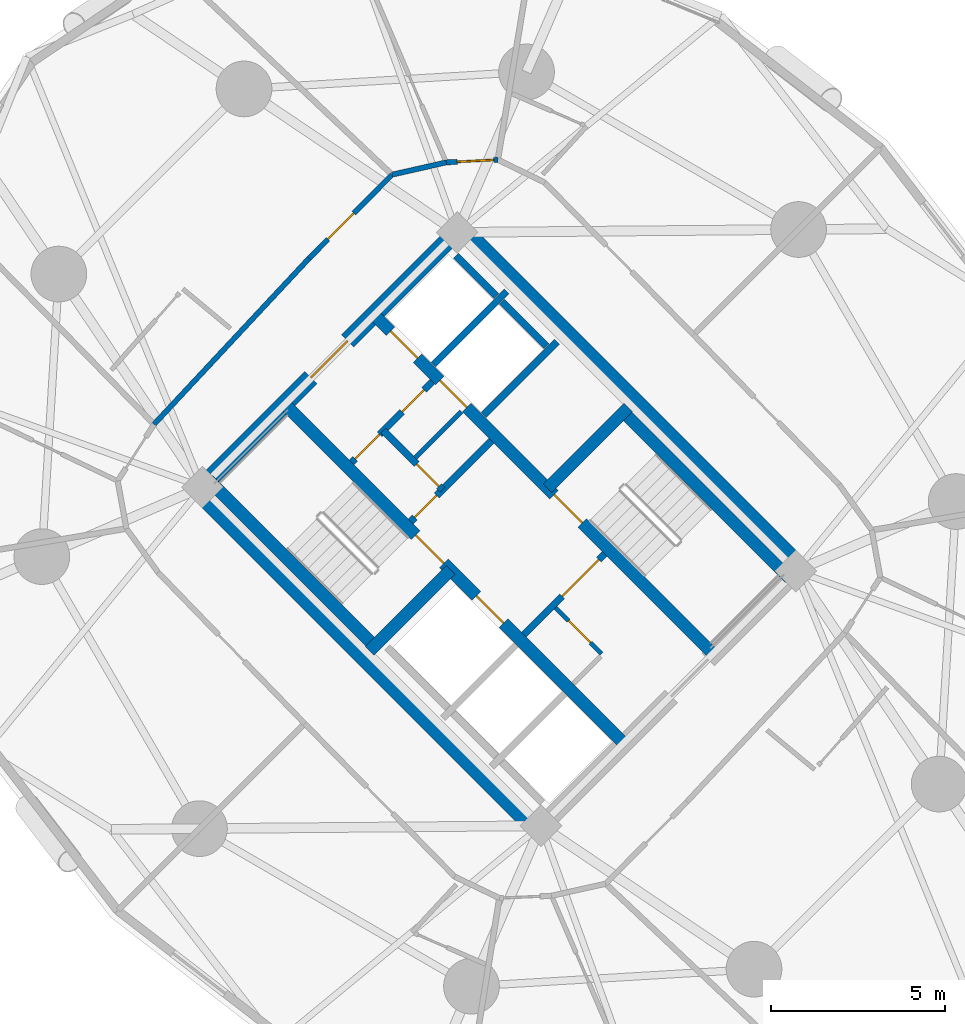
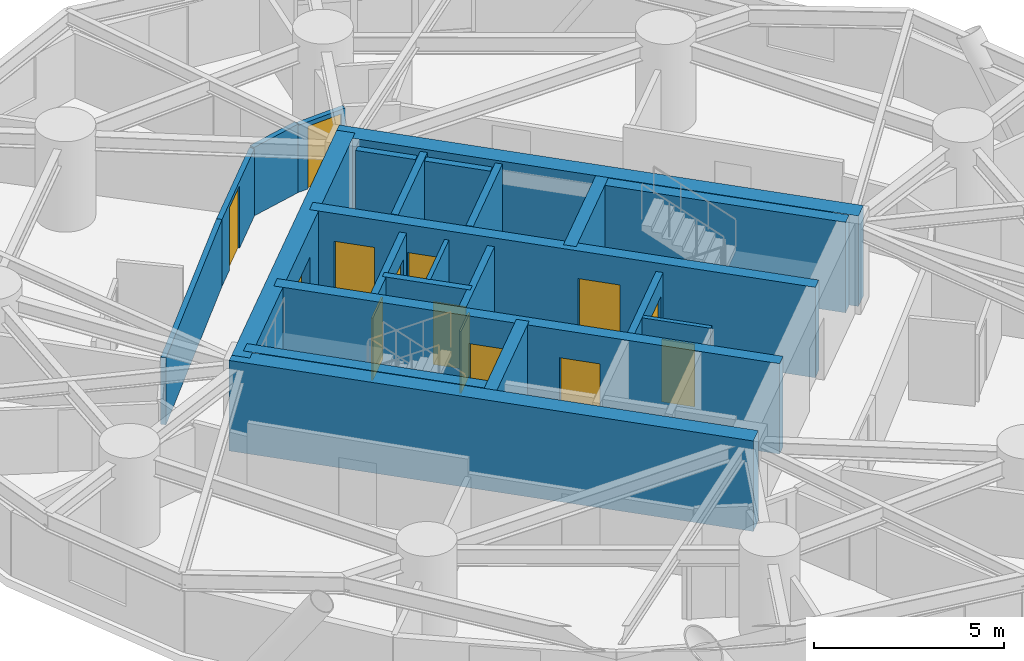
# One storey, part 13 of 19: 23 walls, 14 doors, 14 openings.
"""IFC4 building model written with IfcOpenShell, lengths in metres."""

from ifc_helpers import new_model, si_unit, direction, frame, frame_2d, origin, place, context, subcontext, project, spatial, rectangle, extrude, source, transform, mapped, material, layer, layer_set, type_object, element, fill, save


model = new_model("IFC4")

# Units and contexts
model_context = context("Model", 3, precision=1e-05, world=origin(), true_north=direction((0.0, 1.0)))
body_context = subcontext(model_context, "Body", "Model", "MODEL_VIEW")
ifc_project = project(units=[si_unit("LENGTHUNIT", "METRE"), si_unit("AREAUNIT", "SQUARE_METRE"), si_unit("VOLUMEUNIT", "CUBIC_METRE"), si_unit("PLANEANGLEUNIT", "RADIAN"), si_unit("MASSUNIT", "GRAM", prefix="KILO")], contexts=[model_context])

# Site, building, storey
site_placement = place(None, origin())
site = spatial("IfcSite", under=ifc_project, at=site_placement, CompositionType="ELEMENT")
building_placement = place(site_placement, origin())
building = spatial("IfcBuilding", under=site, at=building_placement, Name="Cununo Teusaquillo Station Towers", CompositionType="ELEMENT")
storey_placement = place(building_placement, frame((0.0, 0.0, 33.639892578125)))
storey = spatial("IfcBuildingStorey", under=building, at=storey_placement, Name="L09", CompositionType="ELEMENT", Elevation=33.639892578125)

# Walls
ifc_material_1 = material(Name="Concrete C50/60", Category="concrete")
ifc_layer_1 = layer(ifc_material_1, 0.199951171875)
ifc_layer_set_1 = layer_set([ifc_layer_1], Name="Concrete C50/60")
wall_type_1 = type_object("IfcWallType", Name="WL-CORE-200", PredefinedType="SHEAR", material=ifc_layer_set_1)
wall_1_placement = place(storey_placement, frame((57.0615234375, 27.781005859375, 0.0), z_axis=(0.0, 0.0, 1.0), x_axis=(0.707106781187, 0.707106781187, 0.0)))
element("IfcWall", 1, at=wall_1_placement, inside=storey, type_object=wall_type_1, Name="L09 Tower B Low-Rise Lift Hoistway South Shear Wall", PredefinedType="SHEAR", context=body_context, shape_type="SweptSolid", body=[
    extrude(rectangle(XDim=2.969970703125, YDim=0.199951171875, at=frame_2d((1.48486328125, 0.0))), origin(), (0.0, 0.0, 1.0), 2.91015625),
])
wall_2_placement = place(storey_placement, frame((55.615478515625, 29.22705078125, 0.0), z_axis=(0.0, 0.0, 1.0), x_axis=(0.707147878904, 0.70706568108, 0.0)))
element("IfcWall", 2, at=wall_2_placement, inside=storey, type_object=wall_type_1, Name="L09 Tower B Low-Rise Lift Hoistway Divider Shear Wall", PredefinedType="SHEAR", context=body_context, shape_type="SweptSolid", body=[
    extrude(rectangle(XDim=2.97021484375, YDim=0.199951171875, at=frame_2d((1.485107421875, 0.0))), origin(), (0.0, 0.0, 1.0), 2.91015625),
])
wall_3_placement = place(storey_placement, frame((58.86474609375, 29.75390625, 0.0), z_axis=(0.0, 0.0, 1.0), x_axis=(-0.707174411312, 0.707039144592, 0.0)))
element("IfcWall", 3, at=wall_3_placement, inside=storey, type_object=wall_type_1, Name="L09 Tower B Low-Rise Lift 1 Shaft Rear Shear Wall", PredefinedType="SHEAR", context=body_context, shape_type="SweptSolid", body=[
    extrude(rectangle(XDim=1.804931640625, YDim=0.199951171875, at=frame_2d((0.90234375, 0.0))), origin(), (0.0, 0.0, 1.0), 2.91015625),
])
wall_4_placement = place(storey_placement, frame((57.418701171875, 31.19970703125, 0.0), z_axis=(0.0, 0.0, 1.0), x_axis=(-0.707032117043, 0.707181437447, 0.0)))
element("IfcWall", 4, at=wall_4_placement, inside=storey, type_object=wall_type_1, Name="L09 Tower B Low-Rise Lift 2 Shaft Rear Shear Wall", PredefinedType="SHEAR", context=body_context, shape_type="SweptSolid", body=[
    extrude(rectangle(XDim=1.635009765625, YDim=0.199951171875, at=frame_2d((0.8173828125, 0.0))), origin(), (0.0, 0.0, 1.0), 2.91015625),
])

# Wall, openings, doors
ifc_material_2 = material(Name="Concrete C50/60", Category="concrete")
ifc_layer_2 = layer(ifc_material_2, 0.35009765625)
ifc_layer_set_2 = layer_set([ifc_layer_2], Name="Concrete C50/60")
wall_type_2 = type_object("IfcWallType", Name="WL-CORE-350", PredefinedType="SHEAR", material=ifc_layer_set_2)
wall_5_placement = place(storey_placement, frame((61.095703125, 18.337646484375, 0.0), z_axis=(0.0, 0.0, 1.0), x_axis=(-0.707106781187, 0.707106781187, 0.0)))
wall_5 = element("IfcWall", 5, at=wall_5_placement, inside=storey, type_object=wall_type_2, Name="L09 Tower B Core Shear Wall IW", PredefinedType="SHEAR", context=body_context, shape_type="SweptSolid", body=[
    extrude(rectangle(XDim=13.800048828125, YDim=0.35009765625, at=frame_2d((6.89990234375, 0.0))), origin(), (0.0, 0.0, 1.0), 2.91015625),
])
shared_shape_1 = source(origin(), body_context, "Body", "SweptSolid", [
    extrude(rectangle(XDim=1.10009765625, YDim=2.014892578125, at=frame_2d((0.550048828125, 1.00732421875))), frame((0.0, 0.18505859375, 0.0), z_axis=(0.0, -1.0, 0.0), x_axis=(1.0, 0.0, 0.0)), (0.0, 0.0, 1.0), 0.3701171875),
])
opening_1_placement = place(wall_5_placement, frame((4.89990234375, 0.0, 0.0)))
opening_1 = element("IfcOpeningElement", 6, at=opening_1_placement, cuts=wall_5, Name="Opening LD-01", PredefinedType="OPENING", context=body_context, shape_type="MappedRepresentation", body=[
    mapped(shared_shape_1, transform((0.0, 0.0, 0.0), x_axis=(1.0, 0.0, 0.0), y_axis=(0.0, 1.0, 0.0), z_axis=(0.0, 0.0, 1.0), scale=1.0)),
])
shared_shape_2 = source(origin(), body_context, "Body", "SweptSolid", [
    extrude(rectangle(XDim=1.14990234375, YDim=2.02001953125, at=frame_2d((0.574951171875, 1.010009765625))), frame((0.0, 0.18505859375, 0.0), z_axis=(0.0, -1.0, 0.0), x_axis=(1.0, 0.0, 0.0)), (0.0, 0.0, 1.0), 0.3701171875),
])
opening_2_placement = place(wall_5_placement, frame((7.320068359375, 0.0, 0.0)))
opening_2 = element("IfcOpeningElement", 7, at=opening_2_placement, cuts=wall_5, Name="Opening D-ST1", PredefinedType="OPENING", context=body_context, shape_type="MappedRepresentation", body=[
    mapped(shared_shape_2, transform((0.0, 0.0, 0.0), x_axis=(1.0, 0.0, 0.0), y_axis=(0.0, 1.0, 0.0), z_axis=(0.0, 0.0, 1.0), scale=1.0)),
])
ifc_material_3 = material(Name="Galvanised fire-rated hollow steel door assembly", Category="steel")
door_type_1 = type_object("IfcDoorType", Name="DR-LIFT-1100", OperationType="SLIDING_TO_LEFT", PredefinedType="DOOR", material=ifc_material_3)
shared_shape_3 = source(origin(), body_context, "Body", "SweptSolid", [
    extrude(rectangle(XDim=1.10009765625, YDim=2.014892578125, at=frame_2d((0.550048828125, 1.00732421875))), frame((0.0, 0.02490234375, 0.0), z_axis=(0.0, -1.0, 0.0), x_axis=(1.0, 0.0, 0.0)), (0.0, 0.0, 1.0), 0.050048828125),
])
door_1_placement = place(opening_1_placement, origin())
door_1 = element("IfcDoor", 8, at=door_1_placement, inside=storey, type_object=door_type_1, Name="L09 Lift FL-T2 Sliding Landing Door", OperationType="SLIDING_TO_LEFT", OverallHeight=2.014892578125, OverallWidth=1.10009765625, PredefinedType="DOOR", context=body_context, shape_type="MappedRepresentation", body=[
    mapped(shared_shape_3, transform((0.0, 0.0, 0.0), x_axis=(1.0, 0.0, 0.0), y_axis=(0.0, 1.0, 0.0), z_axis=(0.0, 0.0, 1.0), scale=1.0)),
])
fill(opening_1, door_1)
ifc_material_4 = material(Name="Galvanised fire-rated hollow steel door assembly", Category="steel")
door_type_2 = type_object("IfcDoorType", Name="DR-STAIR-1150", OperationType="NOTDEFINED", PredefinedType="DOOR", material=ifc_material_4)
shared_shape_4 = source(origin(), body_context, "Body", "SweptSolid", [
    extrude(rectangle(XDim=1.14990234375, YDim=2.02001953125, at=frame_2d((0.574951171875, 1.010009765625))), frame((0.0, 0.02490234375, 0.0), z_axis=(0.0, -1.0, 0.0), x_axis=(1.0, 0.0, 0.0)), (0.0, 0.0, 1.0), 0.050048828125),
])
door_2_placement = place(opening_2_placement, origin())
door_2 = element("IfcDoor", 9, at=door_2_placement, inside=storey, type_object=door_type_2, Name="L09 Tower B Exit Stair 1 Fire Door", OperationType="SINGLE_SWING_LEFT", OverallHeight=2.02001953125, OverallWidth=1.14990234375, PredefinedType="DOOR", context=body_context, shape_type="MappedRepresentation", body=[
    mapped(shared_shape_4, transform((0.0, 0.0, 0.0), x_axis=(1.0, 0.0, 0.0), y_axis=(0.0, 1.0, 0.0), z_axis=(0.0, 0.0, 1.0), scale=1.0)),
])
fill(opening_2, door_2)

wall_6_placement = place(storey_placement, frame((63.662353515625, 20.904296875, 0.0), z_axis=(0.0, 0.0, 1.0), x_axis=(-0.707106781187, 0.707106781187, 0.0)))
wall_6 = element("IfcWall", 10, at=wall_6_placement, inside=storey, type_object=wall_type_2, Name="L09 Tower B Core Shear Wall IE", PredefinedType="SHEAR", context=body_context, shape_type="SweptSolid", body=[
    extrude(rectangle(XDim=13.800048828125, YDim=0.35009765625, at=frame_2d((6.89990234375, 0.0))), origin(), (0.0, 0.0, 1.0), 2.91015625),
])
opening_3_placement = place(wall_6_placement, frame((10.02490234375, 0.0, 0.0)))
opening_3 = element("IfcOpeningElement", 11, at=opening_3_placement, cuts=wall_6, Name="Opening LD-01", PredefinedType="OPENING", context=body_context, shape_type="MappedRepresentation", body=[
    mapped(shared_shape_1, transform((0.0, 0.0, 0.0), x_axis=(1.0, 0.0, 0.0), y_axis=(0.0, 1.0, 0.0), z_axis=(0.0, 0.0, 1.0), scale=1.0)),
])
opening_4_placement = place(wall_6_placement, frame((12.02490234375, 0.0, 0.0)))
opening_4 = element("IfcOpeningElement", 12, at=opening_4_placement, cuts=wall_6, Name="Opening LD-01", PredefinedType="OPENING", context=body_context, shape_type="MappedRepresentation", body=[
    mapped(shared_shape_1, transform((0.0, 0.0, 0.0), x_axis=(1.0, 0.0, 0.0), y_axis=(0.0, 1.0, 0.0), z_axis=(0.0, 0.0, 1.0), scale=1.0)),
])
opening_5_placement = place(wall_6_placement, frame((5.330078125, 0.0, 0.0)))
opening_5 = element("IfcOpeningElement", 13, at=opening_5_placement, cuts=wall_6, Name="Opening D-ST1", PredefinedType="OPENING", context=body_context, shape_type="MappedRepresentation", body=[
    mapped(shared_shape_2, transform((0.0, 0.0, 0.0), x_axis=(1.0, 0.0, 0.0), y_axis=(0.0, 1.0, 0.0), z_axis=(0.0, 0.0, 1.0), scale=1.0)),
])
door_3_placement = place(opening_3_placement, origin())
door_3 = element("IfcDoor", 14, at=door_3_placement, inside=storey, type_object=door_type_1, Name="L09 Lift PL-T2-L1 Sliding Landing Door", OperationType="SLIDING_TO_RIGHT", OverallHeight=2.014892578125, OverallWidth=1.10009765625, PredefinedType="DOOR", context=body_context, shape_type="MappedRepresentation", body=[
    mapped(shared_shape_3, transform((0.0, 0.0, 0.0), x_axis=(1.0, 0.0, 0.0), y_axis=(0.0, 1.0, 0.0), z_axis=(0.0, 0.0, 1.0), scale=1.0)),
])
fill(opening_3, door_3)
door_4_placement = place(opening_4_placement, origin())
door_4 = element("IfcDoor", 15, at=door_4_placement, inside=storey, type_object=door_type_1, Name="L09 Lift PL-T2-L2 Sliding Landing Door", OperationType="SLIDING_TO_LEFT", OverallHeight=2.014892578125, OverallWidth=1.10009765625, PredefinedType="DOOR", context=body_context, shape_type="MappedRepresentation", body=[
    mapped(shared_shape_3, transform((0.0, 0.0, 0.0), x_axis=(1.0, 0.0, 0.0), y_axis=(0.0, 1.0, 0.0), z_axis=(0.0, 0.0, 1.0), scale=1.0)),
])
fill(opening_4, door_4)
door_5_placement = place(opening_5_placement, origin())
door_5 = element("IfcDoor", 16, at=door_5_placement, inside=storey, type_object=door_type_2, Name="L09 Tower B Exit Stair 2 Fire Door", OperationType="SINGLE_SWING_RIGHT", OverallHeight=2.02001953125, OverallWidth=1.14990234375, PredefinedType="DOOR", context=body_context, shape_type="MappedRepresentation", body=[
    mapped(shared_shape_4, transform((0.0, 0.0, 0.0), x_axis=(1.0, 0.0, 0.0), y_axis=(0.0, 1.0, 0.0), z_axis=(0.0, 0.0, 1.0), scale=1.0)),
])
fill(opening_5, door_5)

# Walls
wall_7_placement = place(storey_placement, frame((53.922119140625, 21.14111328125, 0.0), z_axis=(0.0, 0.0, 1.0), x_axis=(-0.707106781187, 0.707106781187, 0.0)))
element("IfcWall", 17, at=wall_7_placement, inside=storey, type_object=wall_type_2, Name="L09 Tower B Core Shear Wall ST1W", PredefinedType="SHEAR", context=body_context, shape_type="SweptSolid", body=[
    extrude(rectangle(XDim=6.7451171875, YDim=0.35009765625, at=frame_2d((3.37255859375, 0.0))), origin(), (0.0, 0.0, 1.0), 2.91015625),
])
wall_8_placement = place(storey_placement, frame((53.7841796875, 21.00341796875, 0.0), z_axis=(0.0, 0.0, 1.0), x_axis=(0.707106781187, 0.707106781187, 0.0)))
element("IfcWall", 18, at=wall_8_placement, inside=storey, type_object=wall_type_2, Name="L09 Tower B Core Shear Wall ST1S", PredefinedType="SHEAR", context=body_context, shape_type="SweptSolid", body=[
    extrude(rectangle(XDim=3.284912109375, YDim=0.35009765625, at=frame_2d((1.642578125, 0.0))), origin(), (0.0, 0.0, 1.0), 2.91015625),
])
wall_9_placement = place(storey_placement, frame((65.847412109375, 23.08935546875, 0.0), z_axis=(0.0, 0.0, 1.0), x_axis=(-0.707106781187, 0.707106781187, 0.0)))
element("IfcWall", 19, at=wall_9_placement, inside=storey, type_object=wall_type_2, Name="L09 Tower B Core Shear Wall ST2E", PredefinedType="SHEAR", context=body_context, shape_type="SweptSolid", body=[
    extrude(rectangle(XDim=6.7451171875, YDim=0.35009765625, at=frame_2d((3.37255859375, 0.0))), origin(), (0.0, 0.0, 1.0), 2.91015625),
])
wall_10_placement = place(storey_placement, frame((58.89306640625, 25.673828125, 0.0), z_axis=(0.0, 0.0, 1.0), x_axis=(0.707106781187, 0.707106781187, 0.0)))
element("IfcWall", 20, at=wall_10_placement, inside=storey, type_object=wall_type_2, Name="L09 Tower B Core Shear Wall ST2N", PredefinedType="SHEAR", context=body_context, shape_type="SweptSolid", body=[
    extrude(rectangle(XDim=3.284912109375, YDim=0.35009765625, at=frame_2d((1.642578125, 0.0))), origin(), (0.0, 0.0, 1.0), 2.91015625),
])
ifc_material_5 = material(Name="Concrete C60/75", Category="concrete")
ifc_layer_3 = layer(ifc_material_5, 0.5)
ifc_layer_set_3 = layer_set([ifc_layer_3], Name="Concrete C60/75")
wall_type_3 = type_object("IfcWallType", Name="WL-CORE-500", PredefinedType="SHEAR", material=ifc_layer_set_3)
for number, where, z_axis, x_axis, name in (
    (21, (58.772705078125, 15.6611328125, 0.0), (0.0, 0.0, 1.0), (-0.707106781187, 0.707106781187, 0.0), "L09 Tower B Core Shear Wall W"),
    (22, (66.3388671875, 23.227294921875, 0.0), (0.0, 0.0, 1.0), (-0.707106781187, 0.707106781187, 0.0), "L09 Tower B Core Shear Wall E"),
):
    element("IfcWall", number, at=place(storey_placement, frame(where, z_axis=z_axis, x_axis=x_axis)), inside=storey, type_object=wall_type_3, Name=name, PredefinedType="SHEAR", context=body_context, shape_type="SweptSolid", body=[
        extrude(rectangle(XDim=14.2998046875, YDim=0.5, at=frame_2d((7.14990234375, 0.0))), origin(), (0.0, 0.0, 1.0), 2.91015625),
    ])

# Wall, opening, door
wall_11_placement = place(storey_placement, frame((48.837890625, 25.595947265625, 0.0), z_axis=(0.0, 0.0, 1.0), x_axis=(0.707106781187, 0.707106781187, 0.0)))
wall_11 = element("IfcWall", 23, at=wall_11_placement, inside=storey, type_object=wall_type_3, Name="L09 Tower B Core Shear Wall N", PredefinedType="SHEAR", context=body_context, shape_type="SweptSolid", body=[
    extrude(rectangle(XDim=10.7001953125, YDim=0.5, at=frame_2d((5.35009765625, 0.0))), origin(), (0.0, 0.0, 1.0), 2.91015625),
])
shared_shape_5 = source(origin(), body_context, "Body", "SweptSolid", [
    extrude(rectangle(XDim=1.5, YDim=2.02001953125, at=frame_2d((0.75, 1.010009765625))), frame((0.0, 0.260009765625, 0.0), z_axis=(0.0, -1.0, 0.0), x_axis=(1.0, 0.0, 0.0)), (0.0, 0.0, 1.0), 0.52001953125),
])
opening_6_placement = place(wall_11_placement, frame((4.60009765625, 0.0, 0.0)))
opening_6 = element("IfcOpeningElement", 24, at=opening_6_placement, cuts=wall_11, Name="Opening D-LB1", PredefinedType="OPENING", context=body_context, shape_type="MappedRepresentation", body=[
    mapped(shared_shape_5, transform((0.0, 0.0, 0.0), x_axis=(1.0, 0.0, 0.0), y_axis=(0.0, 1.0, 0.0), z_axis=(0.0, 0.0, 1.0), scale=1.0)),
])
ifc_material_6 = material(Name="Galvanised fire-rated hollow steel door assembly", Category="steel")
door_type_3 = type_object("IfcDoorType", Name="DR-LOBBY-1500", OperationType="DOUBLE_DOOR_SINGLE_SWING", PredefinedType="DOOR", material=ifc_material_6)
shared_shape_6 = source(origin(), body_context, "Body", "SweptSolid", [
    extrude(rectangle(XDim=1.5, YDim=2.02001953125, at=frame_2d((0.75, 1.010009765625))), frame((0.0, 0.02490234375, 0.0), z_axis=(0.0, -1.0, 0.0), x_axis=(1.0, 0.0, 0.0)), (0.0, 0.0, 1.0), 0.050048828125),
])
door_6_placement = place(opening_6_placement, origin())
door_6 = element("IfcDoor", 25, at=door_6_placement, inside=storey, type_object=door_type_3, Name="L09 Tower B North Core Lift Lobby Door", OperationType="DOUBLE_DOOR_SINGLE_SWING", OverallHeight=2.02001953125, OverallWidth=1.5, PredefinedType="DOOR", context=body_context, shape_type="MappedRepresentation", body=[
    mapped(shared_shape_6, transform((0.0, 0.0, 0.0), x_axis=(1.0, 0.0, 0.0), y_axis=(0.0, 1.0, 0.0), z_axis=(0.0, 0.0, 1.0), scale=1.0)),
])
fill(opening_6, door_6)

ifc_material_7 = material(Name="Fire-rated gypsum plasterboard partition assembly", Category="gypsum")
ifc_layer_4 = layer(ifc_material_7, 0.125)
ifc_layer_set_4 = layer_set([ifc_layer_4], Name="Fire-rated gypsum plasterboard partition assembly")
wall_type_4 = type_object("IfcWallType", Name="WL-PART-125", PredefinedType="PARTITIONING", material=ifc_layer_set_4)
wall_12_placement = place(storey_placement, frame((60.448486328125, 20.9150390625, 0.0), z_axis=(0.0, 0.0, 1.0), x_axis=(-0.707106781187, 0.707106781187, 0.0)))
wall_12 = element("IfcWall", 26, at=wall_12_placement, inside=storey, type_object=wall_type_4, Name="L09 Tower B North-West Lobby Store East Wall", PredefinedType="PARTITIONING", context=body_context, shape_type="SweptSolid", body=[
    extrude(rectangle(XDim=1.869873046875, YDim=0.125, at=frame_2d((0.93505859375, 0.0))), origin(), (0.0, 0.0, 1.0), 2.635009765625),
])
shared_shape_7 = source(origin(), body_context, "Body", "SweptSolid", [
    extrude(rectangle(XDim=0.89990234375, YDim=2.0048828125, at=frame_2d((0.449951171875, 1.00244140625))), frame((0.0, 0.072509765625, 0.0), z_axis=(0.0, -1.0, 0.0), x_axis=(1.0, 0.0, 0.0)), (0.0, 0.0, 1.0), 0.14501953125),
])
opening_7_placement = place(wall_12_placement, frame((0.449951171875, 0.0, 0.0)))
opening_7 = element("IfcOpeningElement", 27, at=opening_7_placement, cuts=wall_12, Name="Opening D-SR1", PredefinedType="OPENING", context=body_context, shape_type="MappedRepresentation", body=[
    mapped(shared_shape_7, transform((0.0, 0.0, 0.0), x_axis=(1.0, 0.0, 0.0), y_axis=(0.0, 1.0, 0.0), z_axis=(0.0, 0.0, 1.0), scale=1.0)),
])
ifc_material_8 = material(Name="Galvanised fire-rated hollow steel door assembly", Category="steel")
door_type_4 = type_object("IfcDoorType", Name="DR-STORE-900", OperationType="NOTDEFINED", PredefinedType="DOOR", material=ifc_material_8)
shared_shape_8 = source(origin(), body_context, "Body", "SweptSolid", [
    extrude(rectangle(XDim=0.89990234375, YDim=2.0048828125, at=frame_2d((0.449951171875, 1.00244140625))), frame((0.0, 0.02490234375, 0.0), z_axis=(0.0, -1.0, 0.0), x_axis=(1.0, 0.0, 0.0)), (0.0, 0.0, 1.0), 0.050048828125),
])
door_7_placement = place(opening_7_placement, origin())
door_7 = element("IfcDoor", 28, at=door_7_placement, inside=storey, type_object=door_type_4, Name="L09 Tower B South Lobby Data Store Door", OperationType="SINGLE_SWING_LEFT", OverallHeight=2.0048828125, OverallWidth=0.89990234375, PredefinedType="DOOR", context=body_context, shape_type="MappedRepresentation", body=[
    mapped(shared_shape_8, transform((0.0, 0.0, 0.0), x_axis=(1.0, 0.0, 0.0), y_axis=(0.0, 1.0, 0.0), z_axis=(0.0, 0.0, 1.0), scale=1.0)),
])
fill(opening_7, door_7)

# Wall
wall_13_placement = place(storey_placement, frame((55.0888671875, 26.54345703125, 0.0), z_axis=(0.0, 0.0, 1.0), x_axis=(0.707106781187, 0.707106781187, 0.0)))
element("IfcWall", 29, at=wall_13_placement, inside=storey, type_object=wall_type_4, Name="L09 Tower B Core Horizontal Split Wall", PredefinedType="PARTITIONING", context=body_context, shape_type="SweptSolid", body=[
    extrude(rectangle(XDim=1.8798828125, YDim=0.125, at=frame_2d((0.93994140625, 0.0))), origin(), (0.0, 0.0, 1.0), 2.635009765625),
])

# Wall, opening, door
ifc_material_9 = material(Name="Fire-rated gypsum plasterboard partition assembly", Category="gypsum")
ifc_layer_5 = layer(ifc_material_9, 0.14990234375)
ifc_layer_set_5 = layer_set([ifc_layer_5], Name="Fire-rated gypsum plasterboard partition assembly")
wall_type_5 = type_object("IfcWallType", Name="WL-PART-150", PredefinedType="PARTITIONING", material=ifc_layer_set_5)
wall_14_placement = place(storey_placement, frame((57.466796875, 35.111328125, 0.0), z_axis=(0.0, 0.0, 1.0), x_axis=(-0.998691757323, -0.051134859488, 0.0)))
wall_14 = element("IfcWall", 30, at=wall_14_placement, inside=storey, type_object=wall_type_5, Name="L09 Tower B Corridor Ring Wall C02", PredefinedType="PARTITIONING", context=body_context, shape_type="SweptSolid", body=[
    extrude(rectangle(XDim=1.48486328125, YDim=0.14990234375, at=frame_2d((0.742431640625, 0.0))), origin(), (0.0, 0.0, 1.0), 2.1591796875),
])
shared_shape_9 = source(origin(), body_context, "Body", "SweptSolid", [
    extrude(rectangle(XDim=1.050048828125, YDim=2.014892578125, at=frame_2d((0.52490234375, 1.00732421875))), frame((0.0, 0.0849609375, 0.0), z_axis=(0.0, -1.0, 0.0), x_axis=(1.0, 0.0, 0.0)), (0.0, 0.0, 1.0), 0.169921875),
])
opening_8_placement = place(wall_14_placement, frame((0.1201171875, 0.0, 0.0)))
opening_8 = element("IfcOpeningElement", 31, at=opening_8_placement, cuts=wall_14, Name="Opening D-SU1", PredefinedType="OPENING", context=body_context, shape_type="MappedRepresentation", body=[
    mapped(shared_shape_9, transform((0.0, 0.0, 0.0), x_axis=(1.0, 0.0, 0.0), y_axis=(0.0, 1.0, 0.0), z_axis=(0.0, 0.0, 1.0), scale=1.0)),
])
ifc_material_10 = material(Name="Acoustic solid-core hardwood leaf assembly", Category="wood")
door_type_5 = type_object("IfcDoorType", Name="DR-SUITE-1050", OperationType="NOTDEFINED", PredefinedType="DOOR", material=ifc_material_10)
shared_shape_10 = source(origin(), body_context, "Body", "SweptSolid", [
    extrude(rectangle(XDim=1.050048828125, YDim=2.014892578125, at=frame_2d((0.52490234375, 1.00732421875))), frame((0.0, 0.02490234375, 0.0), z_axis=(0.0, -1.0, 0.0), x_axis=(1.0, 0.0, 0.0)), (0.0, 0.0, 1.0), 0.050048828125),
])
door_8_placement = place(opening_8_placement, origin())
door_8 = element("IfcDoor", 32, at=door_8_placement, inside=storey, type_object=door_type_5, Name="L09 Tower B Hotel Club Breakfast Lounge Entrance Door", OperationType="SINGLE_SWING_RIGHT", OverallHeight=2.014892578125, OverallWidth=1.050048828125, PredefinedType="DOOR", context=body_context, shape_type="MappedRepresentation", body=[
    mapped(shared_shape_10, transform((0.0, 0.0, 0.0), x_axis=(1.0, 0.0, 0.0), y_axis=(0.0, 1.0, 0.0), z_axis=(0.0, 0.0, 1.0), scale=1.0)),
])
fill(opening_8, door_8)

# Wall
wall_15_placement = place(storey_placement, frame((55.98388671875, 35.035400390625, 0.0), z_axis=(0.0, 0.0, 1.0), x_axis=(-0.975290305708, -0.22092718165, 0.0)))
element("IfcWall", 33, at=wall_15_placement, inside=storey, type_object=wall_type_5, Name="L09 Tower B Corridor Ring Wall C03", PredefinedType="PARTITIONING", context=body_context, shape_type="SweptSolid", body=[
    extrude(rectangle(XDim=1.596923828125, YDim=0.14990234375, at=frame_2d((0.79833984375, 0.0))), origin(), (0.0, 0.0, 1.0), 2.205078125),
])

# Wall, opening, door
wall_16_placement = place(storey_placement, frame((54.426513671875, 34.6826171875, 0.0), z_axis=(0.0, 0.0, 1.0), x_axis=(-0.704178989986, -0.710022499687, 0.0)))
wall_16 = element("IfcWall", 34, at=wall_16_placement, inside=storey, type_object=wall_type_5, Name="L09 Tower B Corridor Ring Wall C04", PredefinedType="PARTITIONING", context=body_context, shape_type="SweptSolid", body=[
    extrude(rectangle(XDim=3.38427734375, YDim=0.14990234375, at=frame_2d((1.692138671875, 0.0))), origin(), (0.0, 0.0, 1.0), 2.1591796875),
])
opening_9_placement = place(wall_16_placement, frame((1.5595703125, 0.0, 0.0)))
opening_9 = element("IfcOpeningElement", 35, at=opening_9_placement, cuts=wall_16, Name="Opening D-SU1", PredefinedType="OPENING", context=body_context, shape_type="MappedRepresentation", body=[
    mapped(shared_shape_9, transform((0.0, 0.0, 0.0), x_axis=(1.0, 0.0, 0.0), y_axis=(0.0, 1.0, 0.0), z_axis=(0.0, 0.0, 1.0), scale=1.0)),
])
door_9_placement = place(opening_9_placement, origin())
door_9 = element("IfcDoor", 36, at=door_9_placement, inside=storey, type_object=door_type_5, Name="L09 Tower B Executive Corner Hotel Suite Entrance Door", OperationType="SINGLE_SWING_RIGHT", OverallHeight=2.014892578125, OverallWidth=1.050048828125, PredefinedType="DOOR", context=body_context, shape_type="MappedRepresentation", body=[
    mapped(shared_shape_10, transform((0.0, 0.0, 0.0), x_axis=(1.0, 0.0, 0.0), y_axis=(0.0, 1.0, 0.0), z_axis=(0.0, 0.0, 1.0), scale=1.0)),
])
fill(opening_9, door_9)

# Wall
wall_17_placement = place(storey_placement, frame((52.04345703125, 32.27978515625, 0.0), z_axis=(0.0, 0.0, 1.0), x_axis=(-0.682606081633, -0.730786519661, 0.0)))
element("IfcWall", 37, at=wall_17_placement, inside=storey, type_object=wall_type_5, Name="L09 Tower B Corridor Ring Wall C05", PredefinedType="PARTITIONING", context=body_context, shape_type="SweptSolid", body=[
    extrude(rectangle(XDim=6.526611328125, YDim=0.14990234375, at=frame_2d((3.26318359375, 0.0))), origin(), (0.0, 0.0, 1.0), 2.1591796875),
])

# Wall, opening, door
ifc_material_11 = material(Name="Fire-rated gypsum plasterboard partition assembly", Category="gypsum")
ifc_layer_6 = layer(ifc_material_11, 0.199951171875)
ifc_layer_set_6 = layer_set([ifc_layer_6], Name="Fire-rated gypsum plasterboard partition assembly")
wall_type_6 = type_object("IfcWallType", Name="WL-PART-200", PredefinedType="PARTITIONING", material=ifc_layer_set_6)
wall_18_placement = place(storey_placement, frame((58.214111328125, 21.466552734375, 0.0), z_axis=(0.0, 0.0, 1.0), x_axis=(0.707106781187, 0.707106781187, 0.0)))
wall_18 = element("IfcWall", 38, at=wall_18_placement, inside=storey, type_object=wall_type_6, Name="L09 Tower B Firefighting Lift Lobby South Fire Wall", PredefinedType="PARTITIONING", context=body_context, shape_type="SweptSolid", body=[
    extrude(rectangle(XDim=3.280029296875, YDim=0.199951171875, at=frame_2d((1.64013671875, 0.0))), origin(), (0.0, 0.0, 1.0), 2.635009765625),
])
shared_shape_11 = source(origin(), body_context, "Body", "SweptSolid", [
    extrude(rectangle(XDim=1.5, YDim=2.02001953125, at=frame_2d((0.75, 1.010009765625))), frame((0.0, 0.10986328125, 0.0), z_axis=(0.0, -1.0, 0.0), x_axis=(1.0, 0.0, 0.0)), (0.0, 0.0, 1.0), 0.219970703125),
])
opening_10_placement = place(wall_18_placement, frame((1.550048828125, 0.0, 0.0)))
opening_10 = element("IfcOpeningElement", 39, at=opening_10_placement, cuts=wall_18, Name="Opening D-LB1", PredefinedType="OPENING", context=body_context, shape_type="MappedRepresentation", body=[
    mapped(shared_shape_11, transform((0.0, 0.0, 0.0), x_axis=(1.0, 0.0, 0.0), y_axis=(0.0, 1.0, 0.0), z_axis=(0.0, 0.0, 1.0), scale=1.0)),
])
door_10_placement = place(opening_10_placement, origin())
door_10 = element("IfcDoor", 40, at=door_10_placement, inside=storey, type_object=door_type_3, Name="L09 Tower B Firefighting Lift Lobby South Fire Door", OperationType="DOUBLE_DOOR_SINGLE_SWING", OverallHeight=2.02001953125, OverallWidth=1.5, PredefinedType="DOOR", context=body_context, shape_type="MappedRepresentation", body=[
    mapped(shared_shape_6, transform((0.0, 0.0, 0.0), x_axis=(1.0, 0.0, 0.0), y_axis=(0.0, 1.0, 0.0), z_axis=(0.0, 0.0, 1.0), scale=1.0)),
])
fill(opening_10, door_10)

wall_19_placement = place(storey_placement, frame((54.96142578125, 24.71923828125, 0.0), z_axis=(0.0, 0.0, 1.0), x_axis=(0.707106781187, 0.707106781187, 0.0)))
wall_19 = element("IfcWall", 41, at=wall_19_placement, inside=storey, type_object=wall_type_6, Name="L09 Tower B Firefighting Lift Lobby North Fire Wall", PredefinedType="PARTITIONING", context=body_context, shape_type="SweptSolid", body=[
    extrude(rectangle(XDim=3.280029296875, YDim=0.199951171875, at=frame_2d((1.64013671875, 0.0))), origin(), (0.0, 0.0, 1.0), 2.635009765625),
])
shared_shape_12 = source(origin(), body_context, "Body", "SweptSolid", [
    extrude(rectangle(XDim=0.89990234375, YDim=2.0048828125, at=frame_2d((0.449951171875, 1.00244140625))), frame((0.0, 0.10986328125, 0.0), z_axis=(0.0, -1.0, 0.0), x_axis=(1.0, 0.0, 0.0)), (0.0, 0.0, 1.0), 0.219970703125),
])
opening_11_placement = place(wall_19_placement, frame((0.159912109375, 0.0, 0.0)))
opening_11 = element("IfcOpeningElement", 42, at=opening_11_placement, cuts=wall_19, Name="Opening D-SR1", PredefinedType="OPENING", context=body_context, shape_type="MappedRepresentation", body=[
    mapped(shared_shape_12, transform((0.0, 0.0, 0.0), x_axis=(1.0, 0.0, 0.0), y_axis=(0.0, 1.0, 0.0), z_axis=(0.0, 0.0, 1.0), scale=1.0)),
])
door_11_placement = place(opening_11_placement, origin())
door_11 = element("IfcDoor", 43, at=door_11_placement, inside=storey, type_object=door_type_4, Name="L09 Tower B Stair 1 Protected Vestibule South Door", OperationType="SINGLE_SWING_LEFT", OverallHeight=2.0048828125, OverallWidth=0.89990234375, PredefinedType="DOOR", context=body_context, shape_type="MappedRepresentation", body=[
    mapped(shared_shape_8, transform((0.0, 0.0, 0.0), x_axis=(1.0, 0.0, 0.0), y_axis=(0.0, 1.0, 0.0), z_axis=(0.0, 0.0, 1.0), scale=1.0)),
])
fill(opening_11, door_11)

wall_20_placement = place(storey_placement, frame((55.873779296875, 25.63134765625, 0.0), z_axis=(0.0, 0.0, 1.0), x_axis=(-0.707157639372, 0.707055919343, 0.0)))
wall_20 = element("IfcWall", 44, at=wall_20_placement, inside=storey, type_object=wall_type_6, Name="L09 Tower B Stair 1 Vestibule Partition Wall", PredefinedType="PARTITIONING", context=body_context, shape_type="SweptSolid", body=[
    extrude(rectangle(XDim=2.400146484375, YDim=0.199951171875, at=frame_2d((1.2001953125, 0.0))), origin(), (0.0, 0.0, 1.0), 2.635009765625),
])
opening_12_placement = place(wall_20_placement, frame((0.139892578125, 0.0, 0.0)))
opening_12 = element("IfcOpeningElement", 45, at=opening_12_placement, cuts=wall_20, Name="Opening D-SR1", PredefinedType="OPENING", context=body_context, shape_type="MappedRepresentation", body=[
    mapped(shared_shape_12, transform((0.0, 0.0, 0.0), x_axis=(1.0, 0.0, 0.0), y_axis=(0.0, 1.0, 0.0), z_axis=(0.0, 0.0, 1.0), scale=1.0)),
])
door_12_placement = place(opening_12_placement, origin())
door_12 = element("IfcDoor", 46, at=door_12_placement, inside=storey, type_object=door_type_4, Name="L09 Tower B Core Linen Store Door", OperationType="SINGLE_SWING_RIGHT", OverallHeight=2.0048828125, OverallWidth=0.89990234375, PredefinedType="DOOR", context=body_context, shape_type="MappedRepresentation", body=[
    mapped(shared_shape_8, transform((0.0, 0.0, 0.0), x_axis=(1.0, 0.0, 0.0), y_axis=(0.0, 1.0, 0.0), z_axis=(0.0, 0.0, 1.0), scale=1.0)),
])
fill(opening_12, door_12)

# Wall, openings, doors
wall_21_placement = place(storey_placement, frame((53.264404296875, 26.416259765625, 0.0), z_axis=(0.0, 0.0, 1.0), x_axis=(0.707106781187, 0.707106781187, 0.0)))
wall_21 = element("IfcWall", 47, at=wall_21_placement, inside=storey, type_object=wall_type_6, Name="L09 Tower B North Lift Lobby South Fire Wall", PredefinedType="PARTITIONING", context=body_context, shape_type="SweptSolid", body=[
    extrude(rectangle(XDim=3.280029296875, YDim=0.199951171875, at=frame_2d((1.64013671875, 0.0))), origin(), (0.0, 0.0, 1.0), 2.635009765625),
])
shared_shape_13 = source(origin(), body_context, "Body", "SweptSolid", [
    extrude(rectangle(XDim=1.0, YDim=2.014892578125, at=frame_2d((0.5, 1.00732421875))), frame((0.0, 0.10986328125, 0.0), z_axis=(0.0, -1.0, 0.0), x_axis=(1.0, 0.0, 0.0)), (0.0, 0.0, 1.0), 0.219970703125),
])
opening_13_placement = place(wall_21_placement, frame((0.139892578125, 0.0, 0.0)))
opening_13 = element("IfcOpeningElement", 48, at=opening_13_placement, cuts=wall_21, Name="Opening D-AC1", PredefinedType="OPENING", context=body_context, shape_type="MappedRepresentation", body=[
    mapped(shared_shape_13, transform((0.0, 0.0, 0.0), x_axis=(1.0, 0.0, 0.0), y_axis=(0.0, 1.0, 0.0), z_axis=(0.0, 0.0, 1.0), scale=1.0)),
])
opening_14_placement = place(wall_21_placement, frame((2.050048828125, 0.0, 0.0)))
opening_14 = element("IfcOpeningElement", 49, at=opening_14_placement, cuts=wall_21, Name="Opening D-SR1", PredefinedType="OPENING", context=body_context, shape_type="MappedRepresentation", body=[
    mapped(shared_shape_12, transform((0.0, 0.0, 0.0), x_axis=(1.0, 0.0, 0.0), y_axis=(0.0, 1.0, 0.0), z_axis=(0.0, 0.0, 1.0), scale=1.0)),
])
door_13_placement = place(opening_14_placement, origin())
door_13 = element("IfcDoor", 50, at=door_13_placement, inside=storey, type_object=door_type_4, Name="L09 Tower B Core Comms Room Door", OperationType="SINGLE_SWING_LEFT", OverallHeight=2.0048828125, OverallWidth=0.89990234375, PredefinedType="DOOR", context=body_context, shape_type="MappedRepresentation", body=[
    mapped(shared_shape_8, transform((0.0, 0.0, 0.0), x_axis=(1.0, 0.0, 0.0), y_axis=(0.0, 1.0, 0.0), z_axis=(0.0, 0.0, 1.0), scale=1.0)),
])
fill(opening_14, door_13)
ifc_material_12 = material(Name="Acoustic solid-core hardwood leaf assembly", Category="wood")
door_type_6 = type_object("IfcDoorType", Name="DR-ACC-1000", OperationType="NOTDEFINED", PredefinedType="DOOR", material=ifc_material_12)
shared_shape_14 = source(origin(), body_context, "Body", "SweptSolid", [
    extrude(rectangle(XDim=1.0, YDim=2.014892578125, at=frame_2d((0.5, 1.00732421875))), frame((0.0, 0.02490234375, 0.0), z_axis=(0.0, -1.0, 0.0), x_axis=(1.0, 0.0, 0.0)), (0.0, 0.0, 1.0), 0.050048828125),
])
door_14_placement = place(opening_13_placement, origin())
door_14 = element("IfcDoor", 51, at=door_14_placement, inside=storey, type_object=door_type_6, Name="L09 Tower B North Lift Lobby to Stair 1 Vestibule Door", OperationType="SINGLE_SWING_RIGHT", OverallHeight=2.014892578125, OverallWidth=1.0, PredefinedType="DOOR", context=body_context, shape_type="MappedRepresentation", body=[
    mapped(shared_shape_14, transform((0.0, 0.0, 0.0), x_axis=(1.0, 0.0, 0.0), y_axis=(0.0, 1.0, 0.0), z_axis=(0.0, 0.0, 1.0), scale=1.0)),
])
fill(opening_13, door_14)

save(model, "model.ifc")
